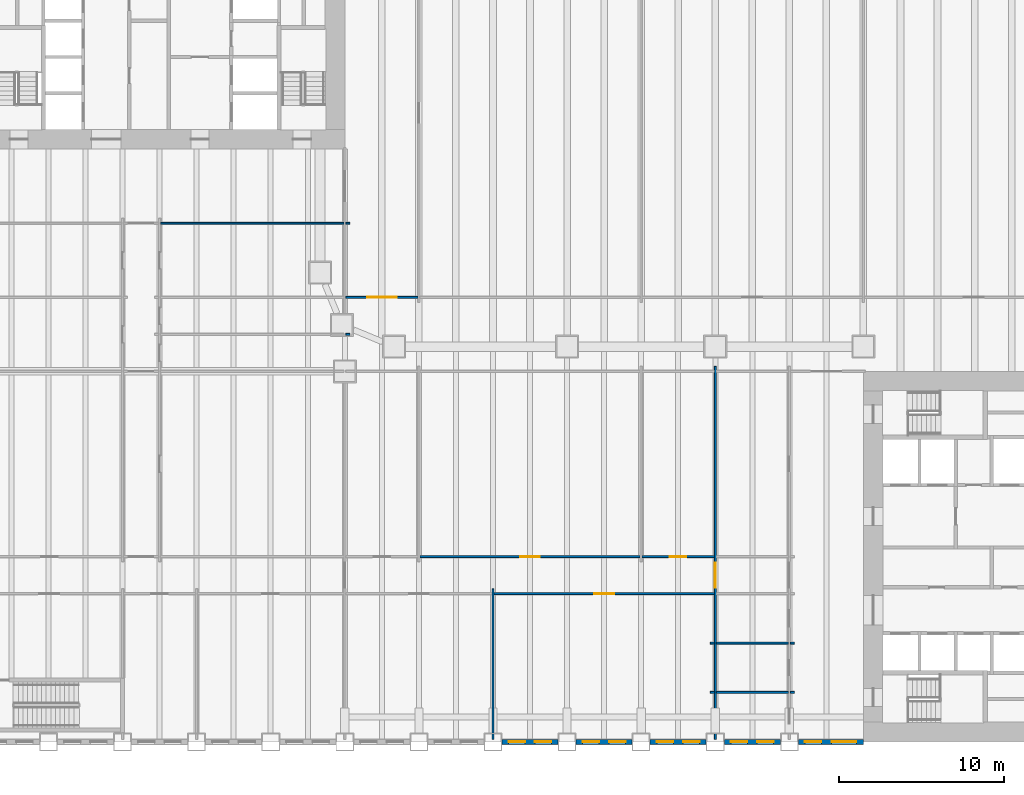
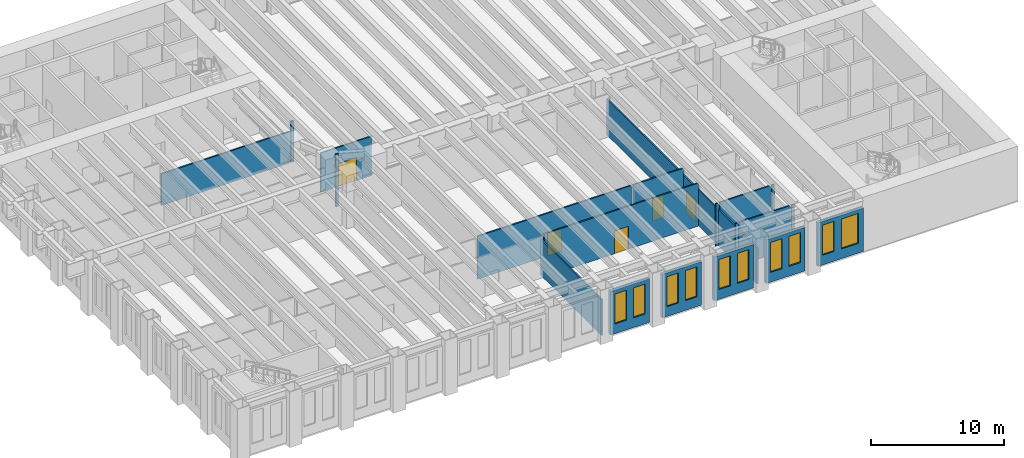
# One storey, part 12 of 21: 20 walls, 10 windows, 5 doors, 15 openings.
"""IFC4 building model written with IfcOpenShell, lengths in metres."""

from ifc_helpers import new_model, si_unit, direction, frame, frame_2d, origin, place, context, subcontext, project, spatial, rectangle, extrude, material, layer, layer_set, type_object, element, fill, save


model = new_model("IFC4")

# Units and contexts
model_context = context("Model", 3, precision=1e-05, world=origin(), true_north=direction((0.0, 1.0)))
body_context = subcontext(model_context, "Body", "Model", "MODEL_VIEW")
ifc_project = project(units=[si_unit("LENGTHUNIT", "METRE"), si_unit("AREAUNIT", "SQUARE_METRE"), si_unit("VOLUMEUNIT", "CUBIC_METRE"), si_unit("PLANEANGLEUNIT", "RADIAN"), si_unit("MASSUNIT", "GRAM", prefix="KILO")], contexts=[model_context])

# Site, building, storey
site_placement = place(None, origin())
site = spatial("IfcSite", under=ifc_project, at=site_placement, CompositionType="ELEMENT")
building_placement = place(site_placement, origin())
building = spatial("IfcBuilding", under=site, at=building_placement, Name="Sennacour Bend Tower", CompositionType="ELEMENT")
storey_placement = place(building_placement, frame((0.0, 0.0, 24.0)))
storey = spatial("IfcBuildingStorey", under=building, at=storey_placement, Name="L04", CompositionType="ELEMENT", Elevation=24.0)

# Walls
ifc_material_1 = material(Name="Plasterboard partition on steel studs", Category="steel")
ifc_layer_1 = layer(ifc_material_1, 0.1201171875, Name="Plasterboard partition on steel studs", Category="steel")
ifc_layer_set_1 = layer_set([ifc_layer_1], Name="Plasterboard partition on steel studs")
wall_type_1 = type_object("IfcWallType", Name="Partition 120", PredefinedType="PARTITIONING", material=ifc_layer_set_1)
wall_1_placement = place(storey_placement, frame((31.5, 0.14990234375, 0.0), z_axis=(0.0, 0.0, 1.0), x_axis=(0.0, 1.0, 0.0)))
element("IfcWall", 1, at=wall_1_placement, inside=storey, type_object=wall_type_1, Name="P-L04-W025a", PredefinedType="PARTITIONING", context=body_context, shape_type="SweptSolid", body=[
    extrude(rectangle(XDim=9.150146484375, YDim=0.1201171875, at=frame_2d((4.5751953125, 0.0))), origin(), (0.0, 0.0, 1.0), 3.300048828125),
])
wall_2_placement = place(storey_placement, frame((44.699951171875, 3.0, 0.0), z_axis=(0.0, 0.0, 1.0), x_axis=(1.0, 0.0, 0.0)))
element("IfcWall", 2, at=wall_2_placement, inside=storey, type_object=wall_type_1, Name="P-L04-W048aa", PredefinedType="PARTITIONING", context=body_context, shape_type="SweptSolid", body=[
    extrude(rectangle(XDim=0.239990234375, YDim=0.1201171875, at=frame_2d((0.1201171875, 0.0))), origin(), (0.0, 0.0, 1.0), 3.93798828125),
])
wall_3_placement = place(storey_placement, frame((45.06005859375, 3.0, 0.0), z_axis=(0.0, 0.0, 1.0), x_axis=(1.0, 0.0, 0.0)))
element("IfcWall", 3, at=wall_3_placement, inside=storey, type_object=wall_type_1, Name="P-L04-W048ab", PredefinedType="PARTITIONING", context=body_context, shape_type="SweptSolid", body=[
    extrude(rectangle(XDim=4.3798828125, YDim=0.1201171875, at=frame_2d((2.18994140625, 0.0))), origin(), (0.0, 0.0, 1.0), 3.93798828125),
])
for number, where, z_axis, x_axis, name in (
    (4, (49.56005859375, 3.0, 0.0), (0.0, 0.0, 1.0), (1.0, 0.0, 0.0), "P-L04-W048ac"),
    (5, (44.699951171875, 6.0, 0.0), (0.0, 0.0, 1.0), (1.0, 0.0, 0.0), "P-L04-W053aa"),
):
    element("IfcWall", number, at=place(storey_placement, frame(where, z_axis=z_axis, x_axis=x_axis)), inside=storey, type_object=wall_type_1, Name=name, PredefinedType="PARTITIONING", context=body_context, shape_type="SweptSolid", body=[
        extrude(rectangle(XDim=0.239990234375, YDim=0.1201171875, at=frame_2d((0.1201171875, 0.0))), origin(), (0.0, 0.0, 1.0), 3.93798828125),
    ])
wall_4_placement = place(storey_placement, frame((45.06005859375, 6.0, 0.0), z_axis=(0.0, 0.0, 1.0), x_axis=(1.0, 0.0, 0.0)))
element("IfcWall", 6, at=wall_4_placement, inside=storey, type_object=wall_type_1, Name="P-L04-W053ab", PredefinedType="PARTITIONING", context=body_context, shape_type="SweptSolid", body=[
    extrude(rectangle(XDim=4.3798828125, YDim=0.1201171875, at=frame_2d((2.18994140625, 0.0))), origin(), (0.0, 0.0, 1.0), 3.93798828125),
])
wall_5_placement = place(storey_placement, frame((49.56005859375, 6.0, 0.0), z_axis=(0.0, 0.0, 1.0), x_axis=(1.0, 0.0, 0.0)))
element("IfcWall", 7, at=wall_5_placement, inside=storey, type_object=wall_type_1, Name="P-L04-W053ac", PredefinedType="PARTITIONING", context=body_context, shape_type="SweptSolid", body=[
    extrude(rectangle(XDim=0.239990234375, YDim=0.1201171875, at=frame_2d((0.1201171875, 0.0))), origin(), (0.0, 0.0, 1.0), 3.93798828125),
])

# Wall, opening, door
wall_6_placement = place(storey_placement, frame((31.56005859375, 9.0, 0.0), z_axis=(0.0, 0.0, 1.0), x_axis=(1.0, 0.0, 0.0)))
wall_6 = element("IfcWall", 8, at=wall_6_placement, inside=storey, type_object=wall_type_1, Name="P-L04-W055ae", PredefinedType="PARTITIONING", context=body_context, shape_type="SweptSolid", body=[
    extrude(rectangle(XDim=13.3798828125, YDim=0.1201171875, at=frame_2d((6.68994140625, 0.0))), origin(), (0.0, 0.0, 1.0), 3.93798828125),
])
opening_1_placement = place(wall_6_placement, frame((6.08984375, 0.0, 0.0)))
opening_1 = element("IfcOpeningElement", 9, at=opening_1_placement, cuts=wall_6, Name="Opening OD", PredefinedType="OPENING", context=body_context, shape_type="SweptSolid", body=[
    extrude(rectangle(XDim=1.199951171875, YDim=2.10009765625, at=frame_2d((0.60009765625, 1.050048828125))), frame((0.0, 0.070068359375, 0.0), z_axis=(0.0, -1.0, 0.0), x_axis=(1.0, 0.0, 0.0)), (0.0, 0.0, 1.0), 0.14013671875),
])
ifc_material_2 = material(Name="Timber", Category="wood")
door_type_1 = type_object("IfcDoorType", Name="DR-OFFICE-1200", OperationType="NOTDEFINED", PredefinedType="DOOR", material=ifc_material_2)
door_1_placement = place(opening_1_placement, origin())
door_1 = element("IfcDoor", 10, at=door_1_placement, inside=storey, type_object=door_type_1, Name="Door", OperationType="SINGLE_SWING_LEFT", OverallHeight=2.10009765625, OverallWidth=1.199951171875, PredefinedType="DOOR", context=body_context, shape_type="SweptSolid", body=[
    extrude(rectangle(XDim=1.199951171875, YDim=2.10009765625, at=frame_2d((0.60009765625, 1.050048828125))), frame((0.0, 0.02490234375, 0.0), z_axis=(0.0, -1.0, 0.0), x_axis=(1.0, 0.0, 0.0)), (0.0, 0.0, 1.0), 0.050048828125),
])
fill(opening_1, door_1)

wall_7_placement = place(storey_placement, frame((27.06005859375, 11.25, 0.0), z_axis=(0.0, 0.0, 1.0), x_axis=(1.0, 0.0, 0.0)))
wall_7 = element("IfcWall", 11, at=wall_7_placement, inside=storey, type_object=wall_type_1, Name="P-L04-W057ae", PredefinedType="PARTITIONING", context=body_context, shape_type="SweptSolid", body=[
    extrude(rectangle(XDim=13.3798828125, YDim=0.1201171875, at=frame_2d((6.68994140625, 0.0))), origin(), (0.0, 0.0, 1.0), 3.93798828125),
])
opening_2_placement = place(wall_7_placement, frame((6.08984375, 0.0, 0.0)))
opening_2 = element("IfcOpeningElement", 12, at=opening_2_placement, cuts=wall_7, Name="Opening OD", PredefinedType="OPENING", context=body_context, shape_type="SweptSolid", body=[
    extrude(rectangle(XDim=1.199951171875, YDim=2.10009765625, at=frame_2d((0.60009765625, 1.050048828125))), frame((0.0, 0.070068359375, 0.0), z_axis=(0.0, -1.0, 0.0), x_axis=(1.0, 0.0, 0.0)), (0.0, 0.0, 1.0), 0.14013671875),
])
door_2_placement = place(opening_2_placement, origin())
door_2 = element("IfcDoor", 13, at=door_2_placement, inside=storey, type_object=door_type_1, Name="Door", OperationType="SINGLE_SWING_LEFT", OverallHeight=2.10009765625, OverallWidth=1.199951171875, PredefinedType="DOOR", context=body_context, shape_type="SweptSolid", body=[
    extrude(rectangle(XDim=1.199951171875, YDim=2.10009765625, at=frame_2d((0.60009765625, 1.050048828125))), frame((0.0, 0.02490234375, 0.0), z_axis=(0.0, -1.0, 0.0), x_axis=(1.0, 0.0, 0.0)), (0.0, 0.0, 1.0), 0.050048828125),
])
fill(opening_2, door_2)

wall_8_placement = place(storey_placement, frame((40.56005859375, 11.25, 0.0), z_axis=(0.0, 0.0, 1.0), x_axis=(1.0, 0.0, 0.0)))
wall_8 = element("IfcWall", 14, at=wall_8_placement, inside=storey, type_object=wall_type_1, Name="P-L04-W057af", PredefinedType="PARTITIONING", context=body_context, shape_type="SweptSolid", body=[
    extrude(rectangle(XDim=4.3798828125, YDim=0.1201171875, at=frame_2d((2.18994140625, 0.0))), origin(), (0.0, 0.0, 1.0), 3.93798828125),
])
opening_3_placement = place(wall_8_placement, frame((1.68994140625, 0.0, 0.0)))
opening_3 = element("IfcOpeningElement", 15, at=opening_3_placement, cuts=wall_8, Name="Opening OD2", PredefinedType="OPENING", context=body_context, shape_type="SweptSolid", body=[
    extrude(rectangle(XDim=1.0, YDim=2.10009765625, at=frame_2d((0.5, 1.050048828125))), frame((0.0, 0.070068359375, 0.0), z_axis=(0.0, -1.0, 0.0), x_axis=(1.0, 0.0, 0.0)), (0.0, 0.0, 1.0), 0.14013671875),
])
door_type_2 = type_object("IfcDoorType", Name="DR-OFFICE-1000", OperationType="NOTDEFINED", PredefinedType="DOOR", material=ifc_material_2)
door_3_placement = place(opening_3_placement, origin())
door_3 = element("IfcDoor", 16, at=door_3_placement, inside=storey, type_object=door_type_2, Name="Door", OperationType="SINGLE_SWING_LEFT", OverallHeight=2.10009765625, OverallWidth=1.0, PredefinedType="DOOR", context=body_context, shape_type="SweptSolid", body=[
    extrude(rectangle(XDim=1.0, YDim=2.10009765625, at=frame_2d((0.5, 1.050048828125))), frame((0.0, 0.02490234375, 0.0), z_axis=(0.0, -1.0, 0.0), x_axis=(1.0, 0.0, 0.0)), (0.0, 0.0, 1.0), 0.050048828125),
])
fill(opening_3, door_3)

# Walls
wall_9_placement = place(storey_placement, frame((22.56005859375, 24.75, 0.0), z_axis=(0.0, 0.0, 1.0), x_axis=(1.0, 0.0, 0.0)))
element("IfcWall", 17, at=wall_9_placement, inside=storey, type_object=wall_type_1, Name="P-L04-W067ac", PredefinedType="PARTITIONING", context=body_context, shape_type="SweptSolid", body=[
    extrude(rectangle(XDim=0.239990234375, YDim=0.1201171875, at=frame_2d((0.1201171875, 0.0))), origin(), (0.0, 0.0, 1.0), 4.85009765625),
])
wall_10_placement = place(storey_placement, frame((11.31005859375, 31.5, 0.0), z_axis=(0.0, 0.0, 1.0), x_axis=(1.0, 0.0, 0.0)))
element("IfcWall", 18, at=wall_10_placement, inside=storey, type_object=wall_type_1, Name="P-L04-W070ac", PredefinedType="PARTITIONING", context=body_context, shape_type="SweptSolid", body=[
    extrude(rectangle(XDim=11.1298828125, YDim=0.1201171875, at=frame_2d((5.56494140625, 0.0))), origin(), (0.0, 0.0, 1.0), 2.89990234375),
])
wall_11_placement = place(storey_placement, frame((22.56005859375, 31.5, 0.0), z_axis=(0.0, 0.0, 1.0), x_axis=(1.0, 0.0, 0.0)))
element("IfcWall", 19, at=wall_11_placement, inside=storey, type_object=wall_type_1, Name="P-L04-W070ad", PredefinedType="PARTITIONING", context=body_context, shape_type="SweptSolid", body=[
    extrude(rectangle(XDim=0.239990234375, YDim=0.1201171875, at=frame_2d((0.1201171875, 0.0))), origin(), (0.0, 0.0, 1.0), 3.787841796875),
])

# Wall, opening, door
ifc_layer_2 = layer(ifc_material_1, 0.1201171875, Name="Plasterboard partition on steel studs", Category="steel")
ifc_layer_set_2 = layer_set([ifc_layer_2], Name="Plasterboard partition on steel studs")
wall_type_2 = type_object("IfcWallType", Name="Partition 120 EI 30", PredefinedType="PARTITIONING", material=ifc_layer_set_2)
wall_12_placement = place(storey_placement, frame((45.0, 0.14990234375, 0.0), z_axis=(0.0, 0.0, 1.0), x_axis=(0.0, 1.0, 0.0)))
wall_12 = element("IfcWall", 20, at=wall_12_placement, inside=storey, type_object=wall_type_2, Name="P-L04-W028a", PredefinedType="PARTITIONING", context=body_context, shape_type="SweptSolid", body=[
    extrude(rectangle(XDim=22.650146484375, YDim=0.1201171875, at=frame_2d((11.3251953125, 0.0))), origin(), (0.0, 0.0, 1.0), 3.300048828125),
])
opening_4_placement = place(wall_12_placement, frame((9.22509765625, 0.0, 0.0)))
opening_4 = element("IfcOpeningElement", 21, at=opening_4_placement, cuts=wall_12, Name="Opening KD", PredefinedType="OPENING", context=body_context, shape_type="SweptSolid", body=[
    extrude(rectangle(XDim=1.5, YDim=2.10009765625, at=frame_2d((0.75, 1.050048828125))), frame((0.0, 0.070068359375, 0.0), z_axis=(0.0, -1.0, 0.0), x_axis=(1.0, 0.0, 0.0)), (0.0, 0.0, 1.0), 0.14013671875),
])
ifc_material_3 = material(Name="Painted steel", Category="steel")
door_type_3 = type_object("IfcDoorType", Name="DR-CORRIDOR-1500", OperationType="NOTDEFINED", PredefinedType="DOOR", material=ifc_material_3)
door_4_placement = place(opening_4_placement, origin())
door_4 = element("IfcDoor", 22, at=door_4_placement, inside=storey, type_object=door_type_3, Name="Door", OperationType="SINGLE_SWING_LEFT", OverallHeight=2.10009765625, OverallWidth=1.5, PredefinedType="DOOR", context=body_context, shape_type="SweptSolid", body=[
    extrude(rectangle(XDim=1.5, YDim=2.10009765625, at=frame_2d((0.75, 1.050048828125))), frame((0.0, 0.02490234375, 0.0), z_axis=(0.0, -1.0, 0.0), x_axis=(1.0, 0.0, 0.0)), (0.0, 0.0, 1.0), 0.050048828125),
])
fill(opening_4, door_4)

ifc_layer_3 = layer(ifc_material_1, 0.1201171875, Name="Plasterboard partition on steel studs", Category="steel")
ifc_layer_set_3 = layer_set([ifc_layer_3], Name="Plasterboard partition on steel studs")
wall_type_3 = type_object("IfcWallType", Name="Partition 120 EI 60", PredefinedType="PARTITIONING", material=ifc_layer_set_3)
wall_13_placement = place(storey_placement, frame((22.56005859375, 27.0, 0.0), z_axis=(0.0, 0.0, 1.0), x_axis=(1.0, 0.0, 0.0)))
wall_13 = element("IfcWall", 23, at=wall_13_placement, inside=storey, type_object=wall_type_3, Name="P-L04-W069ac", PredefinedType="PARTITIONING", context=body_context, shape_type="SweptSolid", body=[
    extrude(rectangle(XDim=4.3798828125, YDim=0.1201171875, at=frame_2d((2.18994140625, 0.0))), origin(), (0.0, 0.0, 1.0), 3.610107421875),
])
opening_5_placement = place(wall_13_placement, frame((1.289794921875, 0.0, 0.0)))
opening_5 = element("IfcOpeningElement", 24, at=opening_5_placement, cuts=wall_13, Name="Opening CD", PredefinedType="OPENING", context=body_context, shape_type="SweptSolid", body=[
    extrude(rectangle(XDim=1.800048828125, YDim=2.10009765625, at=frame_2d((0.89990234375, 1.050048828125))), frame((0.0, 0.070068359375, 0.0), z_axis=(0.0, -1.0, 0.0), x_axis=(1.0, 0.0, 0.0)), (0.0, 0.0, 1.0), 0.14013671875),
])
door_type_4 = type_object("IfcDoorType", Name="DR-LOBBY-1800", OperationType="NOTDEFINED", PredefinedType="DOOR", material=ifc_material_3)
door_5_placement = place(opening_5_placement, origin())
door_5 = element("IfcDoor", 25, at=door_5_placement, inside=storey, type_object=door_type_4, Name="Door", OperationType="DOUBLE_DOOR_SINGLE_SWING", OverallHeight=2.10009765625, OverallWidth=1.800048828125, PredefinedType="DOOR", context=body_context, shape_type="SweptSolid", body=[
    extrude(rectangle(XDim=1.800048828125, YDim=2.10009765625, at=frame_2d((0.89990234375, 1.050048828125))), frame((0.0, 0.02490234375, 0.0), z_axis=(0.0, -1.0, 0.0), x_axis=(1.0, 0.0, 0.0)), (0.0, 0.0, 1.0), 0.050048828125),
])
fill(opening_5, door_5)

# Wall, openings, windows
ifc_material_4 = material(Name="Warm limestone cladding", Category="masonry")
ifc_layer_4 = layer(ifc_material_4, 0.050048828125, Name="Warm limestone cladding", Category="masonry")
ifc_material_5 = material(Name="Precast concrete C40/50", Category="concrete")
ifc_layer_5 = layer(ifc_material_5, 0.25, Name="Precast concrete C40/50", Category="concrete")
ifc_layer_set_4 = layer_set([ifc_layer_4, ifc_layer_5], Name="Precast concrete C40/50 with limestone cladding")
wall_type_4 = type_object("IfcWallType", Name="STONE-CLAD PRECAST SPANDREL 300", PredefinedType="STANDARD", material=ifc_layer_set_4)
wall_14_placement = place(storey_placement, frame((32.050048828125, 0.0, 0.0), z_axis=(0.0, 0.0, 1.0), x_axis=(1.0, 0.0, 0.0)))
wall_14 = element("IfcWall", 26, at=wall_14_placement, inside=storey, type_object=wall_type_4, Name="Stone spandrel and pier wall L04 03.07", PredefinedType="STANDARD", context=body_context, shape_type="SweptSolid", body=[
    extrude(rectangle(XDim=3.39990234375, YDim=0.300048828125, at=frame_2d((1.699951171875, 0.0))), origin(), (0.0, 0.0, 1.0), 3.993896484375),
])
opening_6_placement = place(wall_14_placement, frame((0.39990234375, 0.0, 0.89990234375)))
opening_6 = element("IfcOpeningElement", 27, at=opening_6_placement, cuts=wall_14, Name="Opening W3", PredefinedType="OPENING", context=body_context, shape_type="SweptSolid", body=[
    extrude(rectangle(XDim=1.0, YDim=2.75, at=frame_2d((0.5, 1.375))), frame((0.0, 0.16015625, 0.0), z_axis=(0.0, -1.0, 0.0), x_axis=(1.0, 0.0, 0.0)), (0.0, 0.0, 1.0), 0.320068359375),
])
opening_7_placement = place(wall_14_placement, frame((2.0, 0.0, 0.89990234375)))
opening_7 = element("IfcOpeningElement", 28, at=opening_7_placement, cuts=wall_14, Name="Opening W3", PredefinedType="OPENING", context=body_context, shape_type="SweptSolid", body=[
    extrude(rectangle(XDim=1.0, YDim=2.75, at=frame_2d((0.5, 1.375))), frame((0.0, 0.16015625, 0.0), z_axis=(0.0, -1.0, 0.0), x_axis=(1.0, 0.0, 0.0)), (0.0, 0.0, 1.0), 0.320068359375),
])
ifc_material_6 = material(Name="Clear low-emissivity glass", Category="glass")
window_type_1 = type_object("IfcWindowType", Name="WIN-RIBBON-1000x2750", PartitioningType="SINGLE_PANEL", PredefinedType="WINDOW", material=ifc_material_6)
window_1_placement = place(opening_6_placement, origin())
window_1 = element("IfcWindow", 29, at=window_1_placement, inside=storey, type_object=window_type_1, Name="Ribbon window L04 03.07.0", OverallHeight=2.75, OverallWidth=1.0, PartitioningType="SINGLE_PANEL", PredefinedType="WINDOW", context=body_context, shape_type="SweptSolid", body=[
    extrude(rectangle(XDim=1.0, YDim=2.75, at=frame_2d((0.5, 1.375))), frame((0.0, 0.030029296875, 0.0), z_axis=(0.0, -1.0, 0.0), x_axis=(1.0, 0.0, 0.0)), (0.0, 0.0, 1.0), 0.06005859375),
])
fill(opening_6, window_1)
window_2_placement = place(opening_7_placement, origin())
window_2 = element("IfcWindow", 30, at=window_2_placement, inside=storey, type_object=window_type_1, Name="Ribbon window L04 03.07.1", OverallHeight=2.75, OverallWidth=1.0, PartitioningType="SINGLE_PANEL", PredefinedType="WINDOW", context=body_context, shape_type="SweptSolid", body=[
    extrude(rectangle(XDim=1.0, YDim=2.75, at=frame_2d((0.5, 1.375))), frame((0.0, 0.030029296875, 0.0), z_axis=(0.0, -1.0, 0.0), x_axis=(1.0, 0.0, 0.0)), (0.0, 0.0, 1.0), 0.06005859375),
])
fill(opening_7, window_2)

wall_15_placement = place(storey_placement, frame((36.550048828125, 0.0, 0.0), z_axis=(0.0, 0.0, 1.0), x_axis=(1.0, 0.0, 0.0)))
wall_15 = element("IfcWall", 31, at=wall_15_placement, inside=storey, type_object=wall_type_4, Name="Stone spandrel and pier wall L04 03.08", PredefinedType="STANDARD", context=body_context, shape_type="SweptSolid", body=[
    extrude(rectangle(XDim=3.39990234375, YDim=0.300048828125, at=frame_2d((1.699951171875, 0.0))), origin(), (0.0, 0.0, 1.0), 3.993896484375),
])
opening_8_placement = place(wall_15_placement, frame((0.39990234375, 0.0, 0.89990234375)))
opening_8 = element("IfcOpeningElement", 32, at=opening_8_placement, cuts=wall_15, Name="Opening W3", PredefinedType="OPENING", context=body_context, shape_type="SweptSolid", body=[
    extrude(rectangle(XDim=1.0, YDim=2.75, at=frame_2d((0.5, 1.375))), frame((0.0, 0.16015625, 0.0), z_axis=(0.0, -1.0, 0.0), x_axis=(1.0, 0.0, 0.0)), (0.0, 0.0, 1.0), 0.320068359375),
])
opening_9_placement = place(wall_15_placement, frame((2.0, 0.0, 0.89990234375)))
opening_9 = element("IfcOpeningElement", 33, at=opening_9_placement, cuts=wall_15, Name="Opening W3", PredefinedType="OPENING", context=body_context, shape_type="SweptSolid", body=[
    extrude(rectangle(XDim=1.0, YDim=2.75, at=frame_2d((0.5, 1.375))), frame((0.0, 0.16015625, 0.0), z_axis=(0.0, -1.0, 0.0), x_axis=(1.0, 0.0, 0.0)), (0.0, 0.0, 1.0), 0.320068359375),
])
window_3_placement = place(opening_8_placement, origin())
window_3 = element("IfcWindow", 34, at=window_3_placement, inside=storey, type_object=window_type_1, Name="Ribbon window L04 03.08.0", OverallHeight=2.75, OverallWidth=1.0, PartitioningType="SINGLE_PANEL", PredefinedType="WINDOW", context=body_context, shape_type="SweptSolid", body=[
    extrude(rectangle(XDim=1.0, YDim=2.75, at=frame_2d((0.5, 1.375))), frame((0.0, 0.030029296875, 0.0), z_axis=(0.0, -1.0, 0.0), x_axis=(1.0, 0.0, 0.0)), (0.0, 0.0, 1.0), 0.06005859375),
])
fill(opening_8, window_3)
window_4_placement = place(opening_9_placement, origin())
window_4 = element("IfcWindow", 35, at=window_4_placement, inside=storey, type_object=window_type_1, Name="Ribbon window L04 03.08.1", OverallHeight=2.75, OverallWidth=1.0, PartitioningType="SINGLE_PANEL", PredefinedType="WINDOW", context=body_context, shape_type="SweptSolid", body=[
    extrude(rectangle(XDim=1.0, YDim=2.75, at=frame_2d((0.5, 1.375))), frame((0.0, 0.030029296875, 0.0), z_axis=(0.0, -1.0, 0.0), x_axis=(1.0, 0.0, 0.0)), (0.0, 0.0, 1.0), 0.06005859375),
])
fill(opening_9, window_4)

wall_16_placement = place(storey_placement, frame((41.050048828125, 0.0, 0.0), z_axis=(0.0, 0.0, 1.0), x_axis=(1.0, 0.0, 0.0)))
wall_16 = element("IfcWall", 36, at=wall_16_placement, inside=storey, type_object=wall_type_4, Name="Stone spandrel and pier wall L04 03.09", PredefinedType="STANDARD", context=body_context, shape_type="SweptSolid", body=[
    extrude(rectangle(XDim=3.39990234375, YDim=0.300048828125, at=frame_2d((1.699951171875, 0.0))), origin(), (0.0, 0.0, 1.0), 3.993896484375),
])
opening_10_placement = place(wall_16_placement, frame((0.39990234375, 0.0, 0.89990234375)))
opening_10 = element("IfcOpeningElement", 37, at=opening_10_placement, cuts=wall_16, Name="Opening W3", PredefinedType="OPENING", context=body_context, shape_type="SweptSolid", body=[
    extrude(rectangle(XDim=1.0, YDim=2.75, at=frame_2d((0.5, 1.375))), frame((0.0, 0.16015625, 0.0), z_axis=(0.0, -1.0, 0.0), x_axis=(1.0, 0.0, 0.0)), (0.0, 0.0, 1.0), 0.320068359375),
])
opening_11_placement = place(wall_16_placement, frame((2.0, 0.0, 0.89990234375)))
opening_11 = element("IfcOpeningElement", 38, at=opening_11_placement, cuts=wall_16, Name="Opening W3", PredefinedType="OPENING", context=body_context, shape_type="SweptSolid", body=[
    extrude(rectangle(XDim=1.0, YDim=2.75, at=frame_2d((0.5, 1.375))), frame((0.0, 0.16015625, 0.0), z_axis=(0.0, -1.0, 0.0), x_axis=(1.0, 0.0, 0.0)), (0.0, 0.0, 1.0), 0.320068359375),
])
window_5_placement = place(opening_10_placement, origin())
window_5 = element("IfcWindow", 39, at=window_5_placement, inside=storey, type_object=window_type_1, Name="Ribbon window L04 03.09.0", OverallHeight=2.75, OverallWidth=1.0, PartitioningType="SINGLE_PANEL", PredefinedType="WINDOW", context=body_context, shape_type="SweptSolid", body=[
    extrude(rectangle(XDim=1.0, YDim=2.75, at=frame_2d((0.5, 1.375))), frame((0.0, 0.030029296875, 0.0), z_axis=(0.0, -1.0, 0.0), x_axis=(1.0, 0.0, 0.0)), (0.0, 0.0, 1.0), 0.06005859375),
])
fill(opening_10, window_5)
window_6_placement = place(opening_11_placement, origin())
window_6 = element("IfcWindow", 40, at=window_6_placement, inside=storey, type_object=window_type_1, Name="Ribbon window L04 03.09.1", OverallHeight=2.75, OverallWidth=1.0, PartitioningType="SINGLE_PANEL", PredefinedType="WINDOW", context=body_context, shape_type="SweptSolid", body=[
    extrude(rectangle(XDim=1.0, YDim=2.75, at=frame_2d((0.5, 1.375))), frame((0.0, 0.030029296875, 0.0), z_axis=(0.0, -1.0, 0.0), x_axis=(1.0, 0.0, 0.0)), (0.0, 0.0, 1.0), 0.06005859375),
])
fill(opening_11, window_6)

wall_17_placement = place(storey_placement, frame((45.550048828125, 0.0, 0.0), z_axis=(0.0, 0.0, 1.0), x_axis=(1.0, 0.0, 0.0)))
wall_17 = element("IfcWall", 41, at=wall_17_placement, inside=storey, type_object=wall_type_4, Name="Stone spandrel and pier wall L04 03.10", PredefinedType="STANDARD", context=body_context, shape_type="SweptSolid", body=[
    extrude(rectangle(XDim=3.39990234375, YDim=0.300048828125, at=frame_2d((1.699951171875, 0.0))), origin(), (0.0, 0.0, 1.0), 3.993896484375),
])
opening_12_placement = place(wall_17_placement, frame((0.39990234375, 0.0, 0.89990234375)))
opening_12 = element("IfcOpeningElement", 42, at=opening_12_placement, cuts=wall_17, Name="Opening W3", PredefinedType="OPENING", context=body_context, shape_type="SweptSolid", body=[
    extrude(rectangle(XDim=1.0, YDim=2.75, at=frame_2d((0.5, 1.375))), frame((0.0, 0.16015625, 0.0), z_axis=(0.0, -1.0, 0.0), x_axis=(1.0, 0.0, 0.0)), (0.0, 0.0, 1.0), 0.320068359375),
])
opening_13_placement = place(wall_17_placement, frame((2.0, 0.0, 0.89990234375)))
opening_13 = element("IfcOpeningElement", 43, at=opening_13_placement, cuts=wall_17, Name="Opening W3", PredefinedType="OPENING", context=body_context, shape_type="SweptSolid", body=[
    extrude(rectangle(XDim=1.0, YDim=2.75, at=frame_2d((0.5, 1.375))), frame((0.0, 0.16015625, 0.0), z_axis=(0.0, -1.0, 0.0), x_axis=(1.0, 0.0, 0.0)), (0.0, 0.0, 1.0), 0.320068359375),
])
window_7_placement = place(opening_12_placement, origin())
window_7 = element("IfcWindow", 44, at=window_7_placement, inside=storey, type_object=window_type_1, Name="Ribbon window L04 03.10.0", OverallHeight=2.75, OverallWidth=1.0, PartitioningType="SINGLE_PANEL", PredefinedType="WINDOW", context=body_context, shape_type="SweptSolid", body=[
    extrude(rectangle(XDim=1.0, YDim=2.75, at=frame_2d((0.5, 1.375))), frame((0.0, 0.030029296875, 0.0), z_axis=(0.0, -1.0, 0.0), x_axis=(1.0, 0.0, 0.0)), (0.0, 0.0, 1.0), 0.06005859375),
])
fill(opening_12, window_7)
window_8_placement = place(opening_13_placement, origin())
window_8 = element("IfcWindow", 45, at=window_8_placement, inside=storey, type_object=window_type_1, Name="Ribbon window L04 03.10.1", OverallHeight=2.75, OverallWidth=1.0, PartitioningType="SINGLE_PANEL", PredefinedType="WINDOW", context=body_context, shape_type="SweptSolid", body=[
    extrude(rectangle(XDim=1.0, YDim=2.75, at=frame_2d((0.5, 1.375))), frame((0.0, 0.030029296875, 0.0), z_axis=(0.0, -1.0, 0.0), x_axis=(1.0, 0.0, 0.0)), (0.0, 0.0, 1.0), 0.06005859375),
])
fill(opening_13, window_8)

wall_18_placement = place(storey_placement, frame((50.050048828125, 0.0, 0.0), z_axis=(0.0, 0.0, 1.0), x_axis=(1.0, 0.0, 0.0)))
wall_18 = element("IfcWall", 46, at=wall_18_placement, inside=storey, type_object=wall_type_4, Name="Stone spandrel and pier wall L04 03.11", PredefinedType="STANDARD", context=body_context, shape_type="SweptSolid", body=[
    extrude(rectangle(XDim=3.948974609375, YDim=0.300048828125, at=frame_2d((1.974609375, 0.0))), origin(), (0.0, 0.0, 1.0), 3.993896484375),
])
opening_14_placement = place(wall_18_placement, frame((0.39990234375, 0.0, 0.89990234375)))
opening_14 = element("IfcOpeningElement", 47, at=opening_14_placement, cuts=wall_18, Name="Opening W3", PredefinedType="OPENING", context=body_context, shape_type="SweptSolid", body=[
    extrude(rectangle(XDim=1.0, YDim=2.75, at=frame_2d((0.5, 1.375))), frame((0.0, 0.16015625, 0.0), z_axis=(0.0, -1.0, 0.0), x_axis=(1.0, 0.0, 0.0)), (0.0, 0.0, 1.0), 0.320068359375),
])
opening_15_placement = place(wall_18_placement, frame((2.0244140625, 0.0, 0.89990234375)))
opening_15 = element("IfcOpeningElement", 48, at=opening_15_placement, cuts=wall_18, Name="Opening W4", PredefinedType="OPENING", context=body_context, shape_type="SweptSolid", body=[
    extrude(rectangle(XDim=1.5, YDim=2.75, at=frame_2d((0.75, 1.375))), frame((0.0, 0.16015625, 0.0), z_axis=(0.0, -1.0, 0.0), x_axis=(1.0, 0.0, 0.0)), (0.0, 0.0, 1.0), 0.320068359375),
])
window_9_placement = place(opening_14_placement, origin())
window_9 = element("IfcWindow", 49, at=window_9_placement, inside=storey, type_object=window_type_1, Name="Ribbon window L04 03.11.0", OverallHeight=2.75, OverallWidth=1.0, PartitioningType="SINGLE_PANEL", PredefinedType="WINDOW", context=body_context, shape_type="SweptSolid", body=[
    extrude(rectangle(XDim=1.0, YDim=2.75, at=frame_2d((0.5, 1.375))), frame((0.0, 0.030029296875, 0.0), z_axis=(0.0, -1.0, 0.0), x_axis=(1.0, 0.0, 0.0)), (0.0, 0.0, 1.0), 0.06005859375),
])
fill(opening_14, window_9)
window_type_2 = type_object("IfcWindowType", Name="WIN-RIBBON-1500x2750", PartitioningType="SINGLE_PANEL", PredefinedType="WINDOW", material=ifc_material_6)
window_10_placement = place(opening_15_placement, origin())
window_10 = element("IfcWindow", 50, at=window_10_placement, inside=storey, type_object=window_type_2, Name="Ribbon window L04 03.11.1", OverallHeight=2.75, OverallWidth=1.5, PartitioningType="SINGLE_PANEL", PredefinedType="WINDOW", context=body_context, shape_type="SweptSolid", body=[
    extrude(rectangle(XDim=1.5, YDim=2.75, at=frame_2d((0.75, 1.375))), frame((0.0, 0.030029296875, 0.0), z_axis=(0.0, -1.0, 0.0), x_axis=(1.0, 0.0, 0.0)), (0.0, 0.0, 1.0), 0.06005859375),
])
fill(opening_15, window_10)

save(model, "model.ifc")
